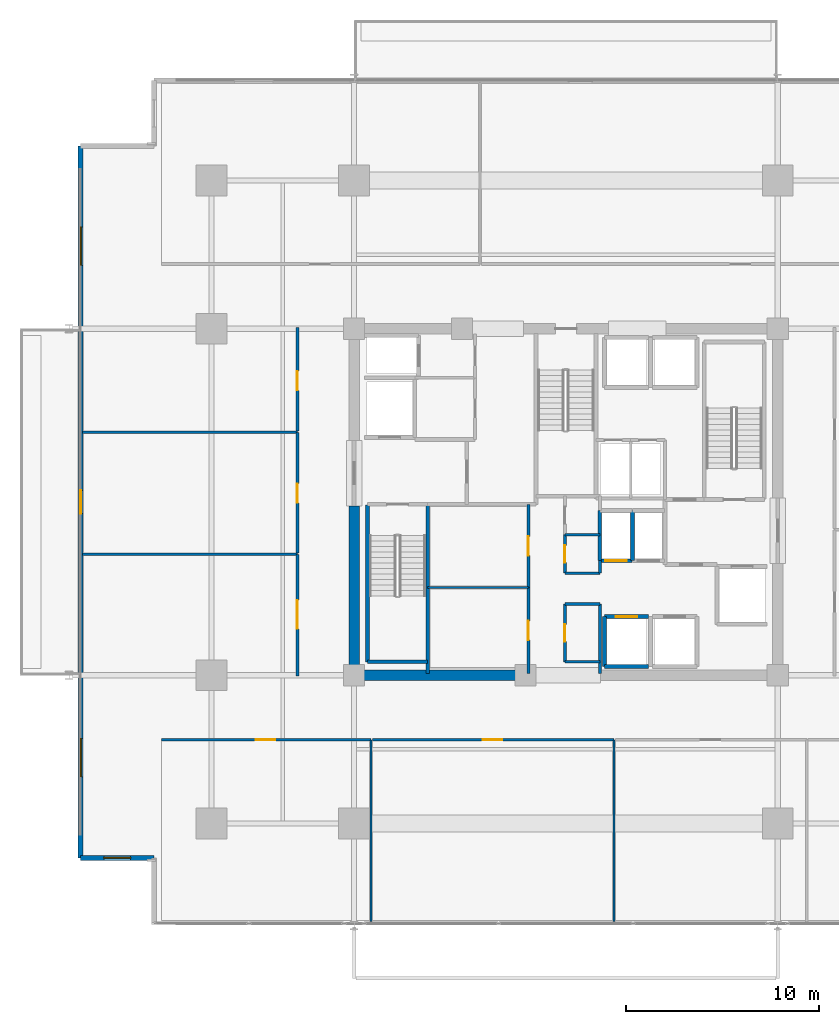
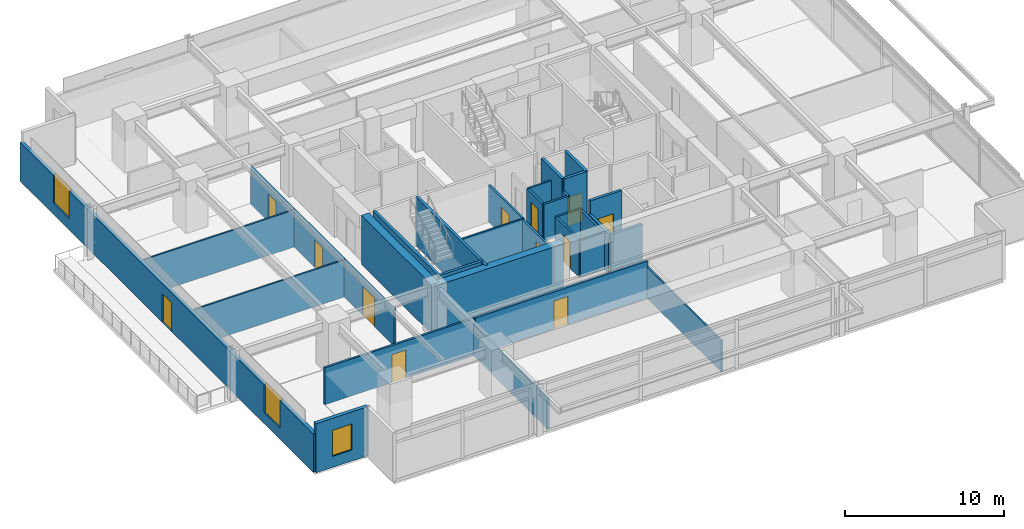
# One storey, part 16 of 23: 33 walls, 12 doors, 3 windows, 15 openings.
"""IFC4 building model written with IfcOpenShell, lengths in metres."""

from ifc_helpers import new_model, si_unit, direction, frame, frame_2d, origin, place, context, subcontext, project, spatial, rectangle, extrude, material, layer, layer_set, type_object, element, fill, save


model = new_model("IFC4")

# Units and contexts
model_context = context("Model", 3, precision=1e-05, world=origin(), true_north=direction((0.0, 1.0)))
body_context = subcontext(model_context, "Body", "Model", "MODEL_VIEW")
ifc_project = project(units=[si_unit("LENGTHUNIT", "METRE"), si_unit("AREAUNIT", "SQUARE_METRE"), si_unit("VOLUMEUNIT", "CUBIC_METRE"), si_unit("PLANEANGLEUNIT", "RADIAN"), si_unit("MASSUNIT", "GRAM", prefix="KILO")], contexts=[model_context])

# Site, building, storey
site_placement = place(None, origin())
site = spatial("IfcSite", under=ifc_project, at=site_placement, CompositionType="ELEMENT")
building_placement = place(site_placement, origin())
building = spatial("IfcBuilding", under=site, at=building_placement, Name="Kovane Verandah Tower", CompositionType="ELEMENT")
storey_placement = place(building_placement, frame((0.0, 0.0, 168.39990234375)))
storey = spatial("IfcBuildingStorey", under=building, at=storey_placement, Name="L39", CompositionType="ELEMENT", Elevation=168.39990234375)

# Walls
ifc_material_1 = material(Name="Fire-Rated Gypsum Stud Partition", Category="gypsum")
ifc_layer_1 = layer(ifc_material_1, 0.14990234375)
ifc_layer_set_1 = layer_set([ifc_layer_1], Name="Fire-Rated Gypsum Stud Partition")
wall_type_1 = type_object("IfcWallType", Name="WL-COR-150", PredefinedType="PARTITIONING", material=ifc_layer_set_1)
for number, where, z_axis, x_axis, name in (
    (1, (39.949951171875, 19.199951171875, 0.0), (0.0, 0.0, 1.0), (1.0, 0.0, 0.0), "L39 Central Core Strip South Wall"),
    (2, (39.949951171875, 22.199951171875, 0.0), (0.0, 0.0, 1.0), (1.0, 0.0, 0.0), "L39 Core Cross-Passage South Wall"),
    (3, (39.949951171875, 23.800048828125, 0.0), (0.0, 0.0, 1.0), (1.0, 0.0, 0.0), "L39 Core Cross-Passage North Wall"),
):
    element("IfcWall", number, at=place(storey_placement, frame(where, z_axis=z_axis, x_axis=x_axis)), inside=storey, type_object=wall_type_1, Name=name, PredefinedType="PARTITIONING", context=body_context, shape_type="SweptSolid", body=[
        extrude(rectangle(XDim=1.81005859375, YDim=0.14990234375, at=frame_2d((0.905029296875, 0.0))), origin(), (0.0, 0.0, 1.0), 2.85009765625),
    ])
wall_1_placement = place(storey_placement, frame((41.760009765625, 18.60009765625, 0.0), z_axis=(0.0, 0.0, 1.0), x_axis=(0.0, 1.0, 0.0)))
element("IfcWall", 4, at=wall_1_placement, inside=storey, type_object=wall_type_1, Name="L39 Central Core Strip Lower East Wall", PredefinedType="PARTITIONING", context=body_context, shape_type="SweptSolid", body=[
    extrude(rectangle(XDim=3.599853515625, YDim=0.14990234375, at=frame_2d((1.7998046875, 0.0))), origin(), (0.0, 0.0, 1.0), 2.755126953125),
])
wall_2_placement = place(storey_placement, frame((41.760009765625, 23.800048828125, 0.0), z_axis=(0.0, 0.0, 1.0), x_axis=(0.0, 1.0, 0.0)))
element("IfcWall", 5, at=wall_2_placement, inside=storey, type_object=wall_type_1, Name="L39 Central Core Strip Middle East Wall", PredefinedType="PARTITIONING", context=body_context, shape_type="SweptSolid", body=[
    extrude(rectangle(XDim=0.64990234375, YDim=0.14990234375, at=frame_2d((0.324951171875, 0.0))), origin(), (0.0, 0.0, 1.0), 2.85009765625),
])

# Wall, opening, door
wall_3_placement = place(storey_placement, frame((39.949951171875, 19.199951171875, 0.0), z_axis=(0.0, 0.0, 1.0), x_axis=(0.0, 1.0, 0.0)))
wall_3 = element("IfcWall", 6, at=wall_3_placement, inside=storey, type_object=wall_type_1, Name="L39 Male Toilet Partition", PredefinedType="PARTITIONING", context=body_context, shape_type="SweptSolid", body=[
    extrude(rectangle(XDim=3.0, YDim=0.14990234375, at=frame_2d((1.5, 0.0))), origin(), (0.0, 0.0, 1.0), 2.85009765625),
])
opening_1_placement = place(wall_3_placement, frame((1.050048828125, 0.0, 0.0)))
opening_1 = element("IfcOpeningElement", 7, at=opening_1_placement, cuts=wall_3, Name="Opening DR-L39-027", PredefinedType="OPENING", context=body_context, shape_type="SweptSolid", body=[
    extrude(rectangle(XDim=0.89990234375, YDim=2.10009765625, at=frame_2d((0.449951171875, 1.050048828125))), frame((0.0, 0.074951171875, 0.0), z_axis=(0.0, -1.0, 0.0), x_axis=(1.0, 0.0, 0.0)), (0.0, 0.0, 1.0), 0.14990234375),
])
ifc_material_2 = material(Name="Moisture-Resistant Laminate Washroom Door", Category="wood")
door_type_1 = type_object("IfcDoorType", Name="DR-WC-900", OperationType="SINGLE_SWING_LEFT", PredefinedType="DOOR", material=ifc_material_2)
door_1_placement = place(opening_1_placement, origin())
door_1 = element("IfcDoor", 8, at=door_1_placement, inside=storey, type_object=door_type_1, Name="L39 Male Toilet Door", OperationType="SINGLE_SWING_LEFT", OverallHeight=2.10009765625, OverallWidth=0.89990234375, PredefinedType="DOOR", context=body_context, shape_type="SweptSolid", body=[
    extrude(rectangle(XDim=0.89990234375, YDim=2.10009765625, at=frame_2d((0.449951171875, 1.050048828125))), frame((0.0, 0.02490234375, 0.0), z_axis=(0.0, -1.0, 0.0), x_axis=(1.0, 0.0, 0.0)), (0.0, 0.0, 1.0), 0.050048828125),
])
fill(opening_1, door_1)

wall_4_placement = place(storey_placement, frame((39.949951171875, 23.800048828125, 0.0), z_axis=(0.0, 0.0, 1.0), x_axis=(0.0, 1.0, 0.0)))
wall_4 = element("IfcWall", 9, at=wall_4_placement, inside=storey, type_object=wall_type_1, Name="L39 Female Toilet Partition", PredefinedType="PARTITIONING", context=body_context, shape_type="SweptSolid", body=[
    extrude(rectangle(XDim=2.0, YDim=0.14990234375, at=frame_2d((1.0, 0.0))), origin(), (0.0, 0.0, 1.0), 2.85009765625),
])
opening_2_placement = place(wall_4_placement, frame((0.550048828125, 0.0, 0.0)))
opening_2 = element("IfcOpeningElement", 10, at=opening_2_placement, cuts=wall_4, Name="Opening DR-L39-026", PredefinedType="OPENING", context=body_context, shape_type="SweptSolid", body=[
    extrude(rectangle(XDim=0.89990234375, YDim=2.10009765625, at=frame_2d((0.449951171875, 1.050048828125))), frame((0.0, 0.074951171875, 0.0), z_axis=(0.0, -1.0, 0.0), x_axis=(1.0, 0.0, 0.0)), (0.0, 0.0, 1.0), 0.14990234375),
])
door_2_placement = place(opening_2_placement, origin())
door_2 = element("IfcDoor", 11, at=door_2_placement, inside=storey, type_object=door_type_1, Name="L39 Female Toilet Door", OperationType="SINGLE_SWING_RIGHT", OverallHeight=2.10009765625, OverallWidth=0.89990234375, PredefinedType="DOOR", context=body_context, shape_type="SweptSolid", body=[
    extrude(rectangle(XDim=0.89990234375, YDim=2.10009765625, at=frame_2d((0.449951171875, 1.050048828125))), frame((0.0, 0.02490234375, 0.0), z_axis=(0.0, -1.0, 0.0), x_axis=(1.0, 0.0, 0.0)), (0.0, 0.0, 1.0), 0.050048828125),
])
fill(opening_2, door_2)

wall_5_placement = place(storey_placement, frame((38.050048828125, 18.60009765625, 0.0), z_axis=(0.0, 0.0, 1.0), x_axis=(0.0, 1.0, 0.0)))
wall_5 = element("IfcWall", 12, at=wall_5_placement, inside=storey, type_object=wall_type_1, Name="L39 IT Server Room Partition", PredefinedType="PARTITIONING", context=body_context, shape_type="SweptSolid", body=[
    extrude(rectangle(XDim=4.4599609375, YDim=0.14990234375, at=frame_2d((2.22998046875, 0.0))), origin(), (0.0, 0.0, 1.0), 2.755126953125),
])
opening_3_placement = place(wall_5_placement, frame((1.72998046875, 0.0, 0.0)))
opening_3 = element("IfcOpeningElement", 13, at=opening_3_placement, cuts=wall_5, Name="Opening DR-L39-014", PredefinedType="OPENING", context=body_context, shape_type="SweptSolid", body=[
    extrude(rectangle(XDim=1.0, YDim=2.14990234375, at=frame_2d((0.5, 1.074951171875))), frame((0.0, 0.074951171875, 0.0), z_axis=(0.0, -1.0, 0.0), x_axis=(1.0, 0.0, 0.0)), (0.0, 0.0, 1.0), 0.14990234375),
])
ifc_material_3 = material(Name="FSC Spotted-Gum Timber Fire-Rated Office Door", Category="wood")
door_type_2 = type_object("IfcDoorType", Name="DR-OFF-1000", OperationType="SINGLE_SWING_LEFT", PredefinedType="DOOR", material=ifc_material_3)
door_3_placement = place(opening_3_placement, origin())
door_3 = element("IfcDoor", 14, at=door_3_placement, inside=storey, type_object=door_type_2, Name="L39 IT Server Room Door", OperationType="SINGLE_SWING_RIGHT", OverallHeight=2.14990234375, OverallWidth=1.0, PredefinedType="DOOR", context=body_context, shape_type="SweptSolid", body=[
    extrude(rectangle(XDim=1.0, YDim=2.14990234375, at=frame_2d((0.5, 1.074951171875))), frame((0.0, 0.02490234375, 0.0), z_axis=(0.0, -1.0, 0.0), x_axis=(1.0, 0.0, 0.0)), (0.0, 0.0, 1.0), 0.050048828125),
])
fill(opening_3, door_3)

wall_6_placement = place(storey_placement, frame((38.050048828125, 23.06005859375, 0.0), z_axis=(0.0, 0.0, 1.0), x_axis=(0.0, 1.0, 0.0)))
wall_6 = element("IfcWall", 15, at=wall_6_placement, inside=storey, type_object=wall_type_1, Name="L39 Telecom MDF Room Partition", PredefinedType="PARTITIONING", context=body_context, shape_type="SweptSolid", body=[
    extrude(rectangle(XDim=4.31982421875, YDim=0.14990234375, at=frame_2d((2.159912109375, 0.0))), origin(), (0.0, 0.0, 1.0), 2.85009765625),
])
opening_4_placement = place(wall_6_placement, frame((1.659912109375, 0.0, 0.0)))
opening_4 = element("IfcOpeningElement", 16, at=opening_4_placement, cuts=wall_6, Name="Opening DR-L39-015", PredefinedType="OPENING", context=body_context, shape_type="SweptSolid", body=[
    extrude(rectangle(XDim=1.0, YDim=2.14990234375, at=frame_2d((0.5, 1.074951171875))), frame((0.0, 0.074951171875, 0.0), z_axis=(0.0, -1.0, 0.0), x_axis=(1.0, 0.0, 0.0)), (0.0, 0.0, 1.0), 0.14990234375),
])
door_4_placement = place(opening_4_placement, origin())
door_4 = element("IfcDoor", 17, at=door_4_placement, inside=storey, type_object=door_type_2, Name="L39 Telecom MDF Room Door", OperationType="SINGLE_SWING_LEFT", OverallHeight=2.14990234375, OverallWidth=1.0, PredefinedType="DOOR", context=body_context, shape_type="SweptSolid", body=[
    extrude(rectangle(XDim=1.0, YDim=2.14990234375, at=frame_2d((0.5, 1.074951171875))), frame((0.0, 0.02490234375, 0.0), z_axis=(0.0, -1.0, 0.0), x_axis=(1.0, 0.0, 0.0)), (0.0, 0.0, 1.0), 0.050048828125),
])
fill(opening_4, door_4)

wall_7_placement = place(storey_placement, frame((18.996826171875, 15.14990234375, 0.0), z_axis=(0.0, 0.0, 1.0), x_axis=(1.0, 0.0, 0.0)))
wall_7 = element("IfcWall", 18, at=wall_7_placement, inside=storey, type_object=wall_type_1, Name="L39 Collaboration Hub S1 Corridor Partition", PredefinedType="PARTITIONING", context=body_context, shape_type="SweptSolid", body=[
    extrude(rectangle(XDim=10.880615234375, YDim=0.14990234375, at=frame_2d((5.4404296875, 0.0))), origin(), (0.0, 0.0, 1.0), 2.85009765625),
])
opening_5_placement = place(wall_7_placement, frame((4.9052734375, 0.0, 0.0)))
opening_5 = element("IfcOpeningElement", 19, at=opening_5_placement, cuts=wall_7, Name="Opening DR-L39-020", PredefinedType="OPENING", context=body_context, shape_type="SweptSolid", body=[
    extrude(rectangle(XDim=1.0, YDim=2.14990234375, at=frame_2d((0.5, 1.074951171875))), frame((0.0, 0.074951171875, 0.0), z_axis=(0.0, -1.0, 0.0), x_axis=(1.0, 0.0, 0.0)), (0.0, 0.0, 1.0), 0.14990234375),
])
door_5_placement = place(opening_5_placement, origin())
door_5 = element("IfcDoor", 20, at=door_5_placement, inside=storey, type_object=door_type_2, Name="L39 Collaboration Hub S1 Entrance Door", OperationType="SINGLE_SWING_RIGHT", OverallHeight=2.14990234375, OverallWidth=1.0, PredefinedType="DOOR", context=body_context, shape_type="SweptSolid", body=[
    extrude(rectangle(XDim=1.0, YDim=2.14990234375, at=frame_2d((0.5, 1.074951171875))), frame((0.0, 0.02490234375, 0.0), z_axis=(0.0, -1.0, 0.0), x_axis=(1.0, 0.0, 0.0)), (0.0, 0.0, 1.0), 0.050048828125),
])
fill(opening_5, door_5)

wall_8_placement = place(storey_placement, frame((29.947509765625, 15.14990234375, 0.0), z_axis=(0.0, 0.0, 1.0), x_axis=(1.0, 0.0, 0.0)))
wall_8 = element("IfcWall", 21, at=wall_8_placement, inside=storey, type_object=wall_type_1, Name="L39 Document and Print Room S2 Corridor Partition", PredefinedType="PARTITIONING", context=body_context, shape_type="SweptSolid", body=[
    extrude(rectangle(XDim=12.5517578125, YDim=0.14990234375, at=frame_2d((6.27587890625, 0.0))), origin(), (0.0, 0.0, 1.0), 2.85009765625),
])
opening_6_placement = place(wall_8_placement, frame((5.74072265625, 0.0, 0.0)))
opening_6 = element("IfcOpeningElement", 22, at=opening_6_placement, cuts=wall_8, Name="Opening DR-L39-021", PredefinedType="OPENING", context=body_context, shape_type="SweptSolid", body=[
    extrude(rectangle(XDim=1.0, YDim=2.14990234375, at=frame_2d((0.5, 1.074951171875))), frame((0.0, 0.074951171875, 0.0), z_axis=(0.0, -1.0, 0.0), x_axis=(1.0, 0.0, 0.0)), (0.0, 0.0, 1.0), 0.14990234375),
])
door_6_placement = place(opening_6_placement, origin())
door_6 = element("IfcDoor", 23, at=door_6_placement, inside=storey, type_object=door_type_2, Name="L39 Document and Print Room S2 Entrance Door", OperationType="SINGLE_SWING_LEFT", OverallHeight=2.14990234375, OverallWidth=1.0, PredefinedType="DOOR", context=body_context, shape_type="SweptSolid", body=[
    extrude(rectangle(XDim=1.0, YDim=2.14990234375, at=frame_2d((0.5, 1.074951171875))), frame((0.0, 0.02490234375, 0.0), z_axis=(0.0, -1.0, 0.0), x_axis=(1.0, 0.0, 0.0)), (0.0, 0.0, 1.0), 0.050048828125),
])
fill(opening_6, door_6)

wall_9_placement = place(storey_placement, frame((26.050048828125, 18.449951171875, 0.0), z_axis=(0.0, 0.0, 1.0), x_axis=(0.0, 1.0, 0.0)))
wall_9 = element("IfcWall", 24, at=wall_9_placement, inside=storey, type_object=wall_type_1, Name="L39 Client Boardroom W1 Corridor Partition", PredefinedType="PARTITIONING", context=body_context, shape_type="SweptSolid", body=[
    extrude(rectangle(XDim=6.3349609375, YDim=0.14990234375, at=frame_2d((3.16748046875, 0.0))), origin(), (0.0, 0.0, 1.0), 2.85009765625),
])
opening_7_placement = place(wall_9_placement, frame((2.45751953125, 0.0, 0.0)))
opening_7 = element("IfcOpeningElement", 25, at=opening_7_placement, cuts=wall_9, Name="Opening DR-L39-028", PredefinedType="OPENING", context=body_context, shape_type="SweptSolid", body=[
    extrude(rectangle(XDim=1.5, YDim=2.25, at=frame_2d((0.75, 1.125))), frame((0.0, 0.074951171875, 0.0), z_axis=(0.0, -1.0, 0.0), x_axis=(1.0, 0.0, 0.0)), (0.0, 0.0, 1.0), 0.14990234375),
])
ifc_material_4 = material(Name="Glazed Timber Fire-Rated Double Door", Category="wood")
door_type_3 = type_object("IfcDoorType", Name="DR-CONF-1500", OperationType="DOUBLE_DOOR_SINGLE_SWING", PredefinedType="DOOR", material=ifc_material_4)
door_7_placement = place(opening_7_placement, origin())
door_7 = element("IfcDoor", 26, at=door_7_placement, inside=storey, type_object=door_type_3, Name="L39 Client Boardroom W1 Entrance Door", OperationType="DOUBLE_DOOR_SINGLE_SWING", OverallHeight=2.25, OverallWidth=1.5, PredefinedType="DOOR", context=body_context, shape_type="SweptSolid", body=[
    extrude(rectangle(XDim=1.5, YDim=2.25, at=frame_2d((0.75, 1.125))), frame((0.0, 0.02490234375, 0.0), z_axis=(0.0, -1.0, 0.0), x_axis=(1.0, 0.0, 0.0)), (0.0, 0.0, 1.0), 0.050048828125),
])
fill(opening_7, door_7)

wall_10_placement = place(storey_placement, frame((26.050048828125, 24.85498046875, 0.0), z_axis=(0.0, 0.0, 1.0), x_axis=(0.0, 1.0, 0.0)))
wall_10 = element("IfcWall", 27, at=wall_10_placement, inside=storey, type_object=wall_type_1, Name="L39 Meeting Room W2 Corridor Partition", PredefinedType="PARTITIONING", context=body_context, shape_type="SweptSolid", body=[
    extrude(rectangle(XDim=6.26513671875, YDim=0.14990234375, at=frame_2d((3.132568359375, 0.0))), origin(), (0.0, 0.0, 1.0), 2.85009765625),
])
opening_8_placement = place(wall_10_placement, frame((2.597412109375, 0.0, 0.0)))
opening_8 = element("IfcOpeningElement", 28, at=opening_8_placement, cuts=wall_10, Name="Opening DR-L39-029", PredefinedType="OPENING", context=body_context, shape_type="SweptSolid", body=[
    extrude(rectangle(XDim=1.0, YDim=2.14990234375, at=frame_2d((0.5, 1.074951171875))), frame((0.0, 0.074951171875, 0.0), z_axis=(0.0, -1.0, 0.0), x_axis=(1.0, 0.0, 0.0)), (0.0, 0.0, 1.0), 0.14990234375),
])
door_8_placement = place(opening_8_placement, origin())
door_8 = element("IfcDoor", 29, at=door_8_placement, inside=storey, type_object=door_type_2, Name="L39 Meeting Room W2 Entrance Door", OperationType="SINGLE_SWING_LEFT", OverallHeight=2.14990234375, OverallWidth=1.0, PredefinedType="DOOR", context=body_context, shape_type="SweptSolid", body=[
    extrude(rectangle(XDim=1.0, YDim=2.14990234375, at=frame_2d((0.5, 1.074951171875))), frame((0.0, 0.02490234375, 0.0), z_axis=(0.0, -1.0, 0.0), x_axis=(1.0, 0.0, 0.0)), (0.0, 0.0, 1.0), 0.050048828125),
])
fill(opening_8, door_8)

wall_11_placement = place(storey_placement, frame((26.050048828125, 31.18994140625, 0.0), z_axis=(0.0, 0.0, 1.0), x_axis=(0.0, 1.0, 0.0)))
wall_11 = element("IfcWall", 30, at=wall_11_placement, inside=storey, type_object=wall_type_1, Name="L39 Focus Studio W3 Corridor Partition", PredefinedType="PARTITIONING", context=body_context, shape_type="SweptSolid", body=[
    extrude(rectangle(XDim=5.360107421875, YDim=0.14990234375, at=frame_2d((2.68017578125, 0.0))), origin(), (0.0, 0.0, 1.0), 2.85009765625),
])
opening_9_placement = place(wall_11_placement, frame((2.10498046875, 0.0, 0.0)))
opening_9 = element("IfcOpeningElement", 31, at=opening_9_placement, cuts=wall_11, Name="Opening DR-L39-030", PredefinedType="OPENING", context=body_context, shape_type="SweptSolid", body=[
    extrude(rectangle(XDim=1.0, YDim=2.14990234375, at=frame_2d((0.5, 1.074951171875))), frame((0.0, 0.074951171875, 0.0), z_axis=(0.0, -1.0, 0.0), x_axis=(1.0, 0.0, 0.0)), (0.0, 0.0, 1.0), 0.14990234375),
])
door_9_placement = place(opening_9_placement, origin())
door_9 = element("IfcDoor", 32, at=door_9_placement, inside=storey, type_object=door_type_2, Name="L39 Focus Studio W3 Entrance Door", OperationType="SINGLE_SWING_RIGHT", OverallHeight=2.14990234375, OverallWidth=1.0, PredefinedType="DOOR", context=body_context, shape_type="SweptSolid", body=[
    extrude(rectangle(XDim=1.0, YDim=2.14990234375, at=frame_2d((0.5, 1.074951171875))), frame((0.0, 0.02490234375, 0.0), z_axis=(0.0, -1.0, 0.0), x_axis=(1.0, 0.0, 0.0)), (0.0, 0.0, 1.0), 0.050048828125),
])
fill(opening_9, door_9)

# Walls
ifc_material_5 = material(Name="Concrete C60/75", Category="concrete")
ifc_layer_2 = layer(ifc_material_5, 0.550048828125)
ifc_layer_set_2 = layer_set([ifc_layer_2], Name="Concrete C60/75")
wall_type_2 = type_object("IfcWallType", Name="WL-CORE-550", PredefinedType="SHEAR", material=ifc_layer_set_2)
wall_12_placement = place(storey_placement, frame((29.0, 18.5, 0.0), z_axis=(0.0, 0.0, 1.0), x_axis=(1.0, 0.0, 0.0)))
element("IfcWall", 33, at=wall_12_placement, inside=storey, type_object=wall_type_2, Name="L39 Core Shear Wall CS-1", PredefinedType="SHEAR", context=body_context, shape_type="SweptSolid", body=[
    extrude(rectangle(XDim=9.199951171875, YDim=0.550048828125, at=frame_2d((4.60009765625, 0.0))), origin(), (0.0, 0.0, 1.0), 3.775146484375),
])
wall_13_placement = place(storey_placement, frame((29.0, 18.5, 0.0), z_axis=(0.0, 0.0, 1.0), x_axis=(0.0, 1.0, 0.0)))
element("IfcWall", 34, at=wall_13_placement, inside=storey, type_object=wall_type_2, Name="L39 Core Shear Wall CW-1", PredefinedType="SHEAR", context=body_context, shape_type="SweptSolid", body=[
    extrude(rectangle(XDim=8.800048828125, YDim=0.550048828125, at=frame_2d((4.39990234375, 0.0))), origin(), (0.0, 0.0, 1.0), 3.775146484375),
])
ifc_material_6 = material(Name="Concrete C45/55 Lift Shaft Wall", Category="concrete")
ifc_layer_3 = layer(ifc_material_6, 0.199951171875)
ifc_layer_set_3 = layer_set([ifc_layer_3], Name="Concrete C45/55 Lift Shaft Wall")
wall_type_3 = type_object("IfcWallType", Name="WL-LIFT-200", PredefinedType="SOLIDWALL", material=ifc_layer_set_3)
wall_14_placement = place(storey_placement, frame((42.0, 18.949951171875, 0.0), z_axis=(0.0, 0.0, 1.0), x_axis=(1.0, 0.0, 0.0)))
element("IfcWall", 35, at=wall_14_placement, inside=storey, type_object=wall_type_3, Name="L39 Lift PL-M1 S Shaft Wall", PredefinedType="SOLIDWALL", context=body_context, shape_type="SweptSolid", body=[
    extrude(rectangle(XDim=2.300048828125, YDim=0.199951171875, at=frame_2d((1.14990234375, 0.0))), origin(), (0.0, 0.0, 1.0), 2.755126953125),
])

# Wall, opening, door
wall_15_placement = place(storey_placement, frame((44.300048828125, 21.550048828125, 0.0), z_axis=(0.0, 0.0, 1.0), x_axis=(-1.0, 0.0, 0.0)))
wall_15 = element("IfcWall", 36, at=wall_15_placement, inside=storey, type_object=wall_type_3, Name="L39 Lift PL-M1 N Shaft Wall", PredefinedType="SOLIDWALL", context=body_context, shape_type="SweptSolid", body=[
    extrude(rectangle(XDim=2.300048828125, YDim=0.199951171875, at=frame_2d((1.14990234375, 0.0))), origin(), (0.0, 0.0, 1.0), 3.775146484375),
])
opening_10_placement = place(wall_15_placement, frame((0.60009765625, 0.0, 0.0)))
opening_10 = element("IfcOpeningElement", 37, at=opening_10_placement, cuts=wall_15, Name="Opening LD-L39-004", PredefinedType="OPENING", context=body_context, shape_type="SweptSolid", body=[
    extrude(rectangle(XDim=1.10009765625, YDim=2.199951171875, at=frame_2d((0.550048828125, 1.10009765625))), frame((0.0, 0.10009765625, 0.0), z_axis=(0.0, -1.0, 0.0), x_axis=(1.0, 0.0, 0.0)), (0.0, 0.0, 1.0), 0.199951171875),
])
ifc_material_7 = material(Name="Brushed Stainless Steel Sliding Lift Landing Door", Category="steel")
door_type_4 = type_object("IfcDoorType", Name="DR-LIFT-1100", OperationType="SLIDING_TO_RIGHT", PredefinedType="DOOR", material=ifc_material_7)
door_10_placement = place(opening_10_placement, origin())
door_10 = element("IfcDoor", 38, at=door_10_placement, inside=storey, type_object=door_type_4, Name="L39 Lift PL-M1 Sliding Landing Door", OperationType="SLIDING_TO_RIGHT", OverallHeight=2.199951171875, OverallWidth=1.10009765625, PredefinedType="DOOR", context=body_context, shape_type="SweptSolid", body=[
    extrude(rectangle(XDim=1.10009765625, YDim=2.199951171875, at=frame_2d((0.550048828125, 1.10009765625))), frame((0.0, 0.02490234375, 0.0), z_axis=(0.0, -1.0, 0.0), x_axis=(1.0, 0.0, 0.0)), (0.0, 0.0, 1.0), 0.050048828125),
])
fill(opening_10, door_10)

# Wall
wall_16_placement = place(storey_placement, frame((42.0, 21.550048828125, 0.0), z_axis=(0.0, 0.0, 1.0), x_axis=(0.0, -1.0, 0.0)))
element("IfcWall", 39, at=wall_16_placement, inside=storey, type_object=wall_type_3, Name="L39 Lift PL-M1 W Shaft Wall", PredefinedType="SOLIDWALL", context=body_context, shape_type="SweptSolid", body=[
    extrude(rectangle(XDim=2.60009765625, YDim=0.199951171875, at=frame_2d((1.300048828125, 0.0))), origin(), (0.0, 0.0, 1.0), 2.755126953125),
])

# Wall, opening, door
wall_17_placement = place(storey_placement, frame((41.760009765625, 24.449951171875, 0.0), z_axis=(0.0, 0.0, 1.0), x_axis=(1.0, 0.0, 0.0)))
wall_17 = element("IfcWall", 40, at=wall_17_placement, inside=storey, type_object=wall_type_3, Name="L39 Lift PL-M3 S Shaft Wall", PredefinedType="SOLIDWALL", context=body_context, shape_type="SweptSolid", body=[
    extrude(rectangle(XDim=1.679931640625, YDim=0.199951171875, at=frame_2d((0.83984375, 0.0))), origin(), (0.0, 0.0, 1.0), 3.775146484375),
])
opening_11_placement = place(wall_17_placement, frame((0.2900390625, 0.0, 0.0)))
opening_11 = element("IfcOpeningElement", 41, at=opening_11_placement, cuts=wall_17, Name="Opening LD-L39-006", PredefinedType="OPENING", context=body_context, shape_type="SweptSolid", body=[
    extrude(rectangle(XDim=1.10009765625, YDim=2.199951171875, at=frame_2d((0.550048828125, 1.10009765625))), frame((0.0, 0.10009765625, 0.0), z_axis=(0.0, -1.0, 0.0), x_axis=(1.0, 0.0, 0.0)), (0.0, 0.0, 1.0), 0.199951171875),
])
door_11_placement = place(opening_11_placement, origin())
door_11 = element("IfcDoor", 42, at=door_11_placement, inside=storey, type_object=door_type_4, Name="L39 Lift PL-M3 Sliding Landing Door", OperationType="SLIDING_TO_RIGHT", OverallHeight=2.199951171875, OverallWidth=1.10009765625, PredefinedType="DOOR", context=body_context, shape_type="SweptSolid", body=[
    extrude(rectangle(XDim=1.10009765625, YDim=2.199951171875, at=frame_2d((0.550048828125, 1.10009765625))), frame((0.0, 0.02490234375, 0.0), z_axis=(0.0, -1.0, 0.0), x_axis=(1.0, 0.0, 0.0)), (0.0, 0.0, 1.0), 0.050048828125),
])
fill(opening_11, door_11)

# Walls
for number, where, z_axis, x_axis, name in (
    (43, (41.760009765625, 27.050048828125, 0.0), (0.0, 0.0, 1.0), (0.0, -1.0, 0.0), "L39 Lift PL-M3 W Shaft Wall"),
    (44, (43.449951171875, 24.449951171875, 0.0), (0.0, 0.0, 1.0), (0.0, 1.0, 0.0), "L39 Lift PL-M3 and PL-M4 Shared Shaft Wall"),
):
    element("IfcWall", number, at=place(storey_placement, frame(where, z_axis=z_axis, x_axis=x_axis)), inside=storey, type_object=wall_type_3, Name=name, PredefinedType="SOLIDWALL", context=body_context, shape_type="SweptSolid", body=[
        extrude(rectangle(XDim=2.60009765625, YDim=0.199951171875, at=frame_2d((1.300048828125, 0.0))), origin(), (0.0, 0.0, 1.0), 3.775146484375),
    ])
ifc_material_8 = material(Name="Acoustic Fire-Rated Gypsum Partition", Category="gypsum")
ifc_layer_4 = layer(ifc_material_8, 0.1201171875)
ifc_layer_set_4 = layer_set([ifc_layer_4], Name="Acoustic Fire-Rated Gypsum Partition")
wall_type_4 = type_object("IfcWallType", Name="WL-PART-120", PredefinedType="PARTITIONING", material=ifc_layer_set_4)
wall_18_placement = place(storey_placement, frame((39.949951171875, 25.800048828125, 0.0), z_axis=(0.0, 0.0, 1.0), x_axis=(1.0, 0.0, 0.0)))
element("IfcWall", 45, at=wall_18_placement, inside=storey, type_object=wall_type_4, Name="L39 Central Core Strip Upper Dividing Partition", PredefinedType="PARTITIONING", context=body_context, shape_type="SweptSolid", body=[
    extrude(rectangle(XDim=1.81005859375, YDim=0.1201171875, at=frame_2d((0.905029296875, 0.0))), origin(), (0.0, 0.0, 1.0), 2.85009765625),
])
wall_19_placement = place(storey_placement, frame((32.820068359375, 23.06005859375, 0.0), z_axis=(0.0, 0.0, 1.0), x_axis=(1.0, 0.0, 0.0)))
element("IfcWall", 46, at=wall_19_placement, inside=storey, type_object=wall_type_4, Name="L39 Core Support Dividing Partition", PredefinedType="PARTITIONING", context=body_context, shape_type="SweptSolid", body=[
    extrude(rectangle(XDim=5.22998046875, YDim=0.1201171875, at=frame_2d((2.614990234375, 0.0))), origin(), (0.0, 0.0, 1.0), 2.85009765625),
])
for number, where, z_axis, x_axis, name in (
    (47, (29.87744140625, 5.7177734375, 0.0), (0.0, 0.0, 1.0), (0.0, 1.0, 0.0), "L39 Collaboration Hub S1 Dividing Partition"),
    (48, (42.499267578125, 5.7177734375, 0.0), (0.0, 0.0, 1.0), (0.0, 1.0, 0.0), "L39 Document and Print Room S2 Dividing Partition"),
):
    element("IfcWall", number, at=place(storey_placement, frame(where, z_axis=z_axis, x_axis=x_axis)), inside=storey, type_object=wall_type_4, Name=name, PredefinedType="PARTITIONING", context=body_context, shape_type="SweptSolid", body=[
        extrude(rectangle(XDim=9.43212890625, YDim=0.1201171875, at=frame_2d((4.716064453125, 0.0))), origin(), (0.0, 0.0, 1.0), 2.405029296875),
    ])
for number, where, z_axis, x_axis, name in (
    (49, (14.896728515625, 24.784912109375, 0.0), (0.0, 0.0, 1.0), (1.0, 0.0, 0.0), "L39 Client Boardroom W1 Dividing Partition"),
    (50, (14.896728515625, 31.1201171875, 0.0), (0.0, 0.0, 1.0), (1.0, 0.0, 0.0), "L39 Meeting Room W2 Dividing Partition"),
):
    element("IfcWall", number, at=place(storey_placement, frame(where, z_axis=z_axis, x_axis=x_axis)), inside=storey, type_object=wall_type_4, Name=name, PredefinedType="PARTITIONING", context=body_context, shape_type="SweptSolid", body=[
        extrude(rectangle(XDim=11.1533203125, YDim=0.1201171875, at=frame_2d((5.57666015625, 0.0))), origin(), (0.0, 0.0, 1.0), 2.85009765625),
    ])
ifc_material_9 = material(Name="Concrete C45/55", Category="concrete")
ifc_layer_5 = layer(ifc_material_9, 0.199951171875)
ifc_layer_set_5 = layer_set([ifc_layer_5], Name="Concrete C45/55")
wall_type_5 = type_object("IfcWallType", Name="WL-SHAFT-200", PredefinedType="SOLIDWALL", material=ifc_layer_set_5)
wall_20_placement = place(storey_placement, frame((29.699951171875, 19.199951171875, 0.0), z_axis=(0.0, 0.0, 1.0), x_axis=(0.0, 1.0, 0.0)))
element("IfcWall", 51, at=wall_20_placement, inside=storey, type_object=wall_type_5, Name="W-L39-ST01-W", PredefinedType="SOLIDWALL", context=body_context, shape_type="SweptSolid", body=[
    extrude(rectangle(XDim=8.150146484375, YDim=0.199951171875, at=frame_2d((4.0751953125, 0.0))), origin(), (0.0, 0.0, 1.0), 3.775146484375),
])
wall_21_placement = place(storey_placement, frame((29.699951171875, 19.199951171875, 0.0), z_axis=(0.0, 0.0, 1.0), x_axis=(1.0, 0.0, 0.0)))
element("IfcWall", 52, at=wall_21_placement, inside=storey, type_object=wall_type_5, Name="W-L39-ST01-S", PredefinedType="SOLIDWALL", context=body_context, shape_type="SweptSolid", body=[
    extrude(rectangle(XDim=3.1201171875, YDim=0.199951171875, at=frame_2d((1.56005859375, 0.0))), origin(), (0.0, 0.0, 1.0), 3.775146484375),
])
wall_22_placement = place(storey_placement, frame((32.820068359375, 18.60009765625, 0.0), z_axis=(0.0, 0.0, 1.0), x_axis=(0.0, 1.0, 0.0)))
element("IfcWall", 53, at=wall_22_placement, inside=storey, type_object=wall_type_5, Name="W-L39-ST01-E", PredefinedType="SOLIDWALL", context=body_context, shape_type="SweptSolid", body=[
    extrude(rectangle(XDim=8.77978515625, YDim=0.199951171875, at=frame_2d((4.389892578125, 0.0))), origin(), (0.0, 0.0, 1.0), 3.775146484375),
])

# Wall, openings, door, windows
ifc_material_10 = material(Name="Concrete C45/55 Insulated Spandrel Wall", Category="concrete")
ifc_layer_6 = layer(ifc_material_10, 0.260009765625)
ifc_layer_set_6 = layer_set([ifc_layer_6], Name="Concrete C45/55 Insulated Spandrel Wall")
wall_type_6 = type_object("IfcWallType", Name="WL-SPANDREL-260", PredefinedType="PARAPET", material=ifc_layer_set_6)
wall_23_placement = place(storey_placement, frame((14.796875, 45.982177734375, 0.0), z_axis=(0.0, 0.0, 1.0), x_axis=(0.0, -1.0, 0.0)))
wall_23 = element("IfcWall", 54, at=wall_23_placement, inside=storey, type_object=wall_type_6, Name="L39 W Verandah Access Facade Wall", PredefinedType="PARAPET", context=body_context, shape_type="SweptSolid", body=[
    extrude(rectangle(XDim=36.96435546875, YDim=0.260009765625, at=frame_2d((18.482177734375, 0.0))), origin(), (0.0, 0.0, 1.0), 2.97021484375),
])
opening_12_placement = place(wall_23_placement, frame((4.199951171875, 0.0, 0.85009765625)))
opening_12 = element("IfcOpeningElement", 55, at=opening_12_placement, cuts=wall_23, Name="Opening W-04", PredefinedType="OPENING", context=body_context, shape_type="SweptSolid", body=[
    extrude(rectangle(XDim=2.0, YDim=2.300048828125, at=frame_2d((1.0, 1.14990234375))), frame((0.0, 0.1298828125, 0.0), z_axis=(0.0, -1.0, 0.0), x_axis=(1.0, 0.0, 0.0)), (0.0, 0.0, 1.0), 0.260009765625),
])
opening_13_placement = place(wall_23_placement, frame((17.882080078125, 0.0, 0.0)))
opening_13 = element("IfcOpeningElement", 56, at=opening_13_placement, cuts=wall_23, Name="Opening DR-L39-002", PredefinedType="OPENING", context=body_context, shape_type="SweptSolid", body=[
    extrude(rectangle(XDim=1.199951171875, YDim=2.199951171875, at=frame_2d((0.60009765625, 1.10009765625))), frame((0.0, 0.1298828125, 0.0), z_axis=(0.0, -1.0, 0.0), x_axis=(1.0, 0.0, 0.0)), (0.0, 0.0, 1.0), 0.260009765625),
])
opening_14_placement = place(wall_23_placement, frame((30.764404296875, 0.0, 0.85009765625)))
opening_14 = element("IfcOpeningElement", 57, at=opening_14_placement, cuts=wall_23, Name="Opening W-04", PredefinedType="OPENING", context=body_context, shape_type="SweptSolid", body=[
    extrude(rectangle(XDim=2.0, YDim=2.300048828125, at=frame_2d((1.0, 1.14990234375))), frame((0.0, 0.1298828125, 0.0), z_axis=(0.0, -1.0, 0.0), x_axis=(1.0, 0.0, 0.0)), (0.0, 0.0, 1.0), 0.260009765625),
])
ifc_material_11 = material(Name="Cyclone-Rated Glazed Balcony Leaf Door", Category="aluminium")
door_type_5 = type_object("IfcDoorType", Name="DR-BAL-1200x2200", OperationType="SINGLE_SWING_LEFT", PredefinedType="DOOR", material=ifc_material_11)
door_12_placement = place(opening_13_placement, origin())
door_12 = element("IfcDoor", 58, at=door_12_placement, inside=storey, type_object=door_type_5, Name="L39 W Planted Balcony Access Door", OperationType="SINGLE_SWING_LEFT", OverallHeight=2.199951171875, OverallWidth=1.199951171875, PredefinedType="DOOR", context=body_context, shape_type="SweptSolid", body=[
    extrude(rectangle(XDim=1.199951171875, YDim=2.199951171875, at=frame_2d((0.60009765625, 1.10009765625))), frame((0.0, 0.02490234375, 0.0), z_axis=(0.0, -1.0, 0.0), x_axis=(1.0, 0.0, 0.0)), (0.0, 0.0, 1.0), 0.050048828125),
])
fill(opening_13, door_12)
ifc_material_12 = material(Name="Clear Low-E Laminated Double Glazing in Anodised Frame", Category="glass")
window_type_1 = type_object("IfcWindowType", Name="WN-FIXED-2000x2300", PartitioningType="SINGLE_PANEL", PredefinedType="WINDOW", material=ifc_material_12)
window_1_placement = place(opening_12_placement, origin())
window_1 = element("IfcWindow", 59, at=window_1_placement, inside=storey, type_object=window_type_1, Name="L39 W Verandah View Window 1", OverallHeight=2.300048828125, OverallWidth=2.0, PartitioningType="SINGLE_PANEL", PredefinedType="WINDOW", context=body_context, shape_type="SweptSolid", body=[
    extrude(rectangle(XDim=2.0, YDim=2.300048828125, at=frame_2d((1.0, 1.14990234375))), frame((0.0, 0.030029296875, 0.0), z_axis=(0.0, -1.0, 0.0), x_axis=(1.0, 0.0, 0.0)), (0.0, 0.0, 1.0), 0.06005859375),
])
fill(opening_12, window_1)
window_2_placement = place(opening_14_placement, origin())
window_2 = element("IfcWindow", 60, at=window_2_placement, inside=storey, type_object=window_type_1, Name="L39 W Verandah View Window 2", OverallHeight=2.300048828125, OverallWidth=2.0, PartitioningType="SINGLE_PANEL", PredefinedType="WINDOW", context=body_context, shape_type="SweptSolid", body=[
    extrude(rectangle(XDim=2.0, YDim=2.300048828125, at=frame_2d((1.0, 1.14990234375))), frame((0.0, 0.030029296875, 0.0), z_axis=(0.0, -1.0, 0.0), x_axis=(1.0, 0.0, 0.0)), (0.0, 0.0, 1.0), 0.06005859375),
])
fill(opening_14, window_2)

# Wall, opening, window
wall_24_placement = place(storey_placement, frame((14.796875, 9.017822265625, 0.0), z_axis=(0.0, 0.0, 1.0), x_axis=(1.0, 0.0, 0.0)))
wall_24 = element("IfcWall", 61, at=wall_24_placement, inside=storey, type_object=wall_type_6, Name="L39 SW Notch Cheek Wall 1", PredefinedType="PARAPET", context=body_context, shape_type="SweptSolid", body=[
    extrude(rectangle(XDim=3.7998046875, YDim=0.260009765625, at=frame_2d((1.89990234375, 0.0))), origin(), (0.0, 0.0, 1.0), 3.775146484375),
])
opening_15_placement = place(wall_24_placement, frame((1.199951171875, 0.0, 0.85009765625)))
opening_15 = element("IfcOpeningElement", 62, at=opening_15_placement, cuts=wall_24, Name="Opening W-01", PredefinedType="OPENING", context=body_context, shape_type="SweptSolid", body=[
    extrude(rectangle(XDim=1.39990234375, YDim=2.0, at=frame_2d((0.699951171875, 1.0))), frame((0.0, 0.1298828125, 0.0), z_axis=(0.0, -1.0, 0.0), x_axis=(1.0, 0.0, 0.0)), (0.0, 0.0, 1.0), 0.260009765625),
])
window_type_2 = type_object("IfcWindowType", Name="WN-OPER-1400x2000", PartitioningType="SINGLE_PANEL", PredefinedType="WINDOW", material=ifc_material_12)
window_3_placement = place(opening_15_placement, origin())
window_3 = element("IfcWindow", 63, at=window_3_placement, inside=storey, type_object=window_type_2, Name="L39 SW Re-Entrant Corner Operable Window", OverallHeight=2.0, OverallWidth=1.39990234375, PartitioningType="SINGLE_PANEL", PredefinedType="WINDOW", context=body_context, shape_type="SweptSolid", body=[
    extrude(rectangle(XDim=1.39990234375, YDim=2.0, at=frame_2d((0.699951171875, 1.0))), frame((0.0, 0.030029296875, 0.0), z_axis=(0.0, -1.0, 0.0), x_axis=(1.0, 0.0, 0.0)), (0.0, 0.0, 1.0), 0.06005859375),
])
fill(opening_15, window_3)

save(model, "model.ifc")
